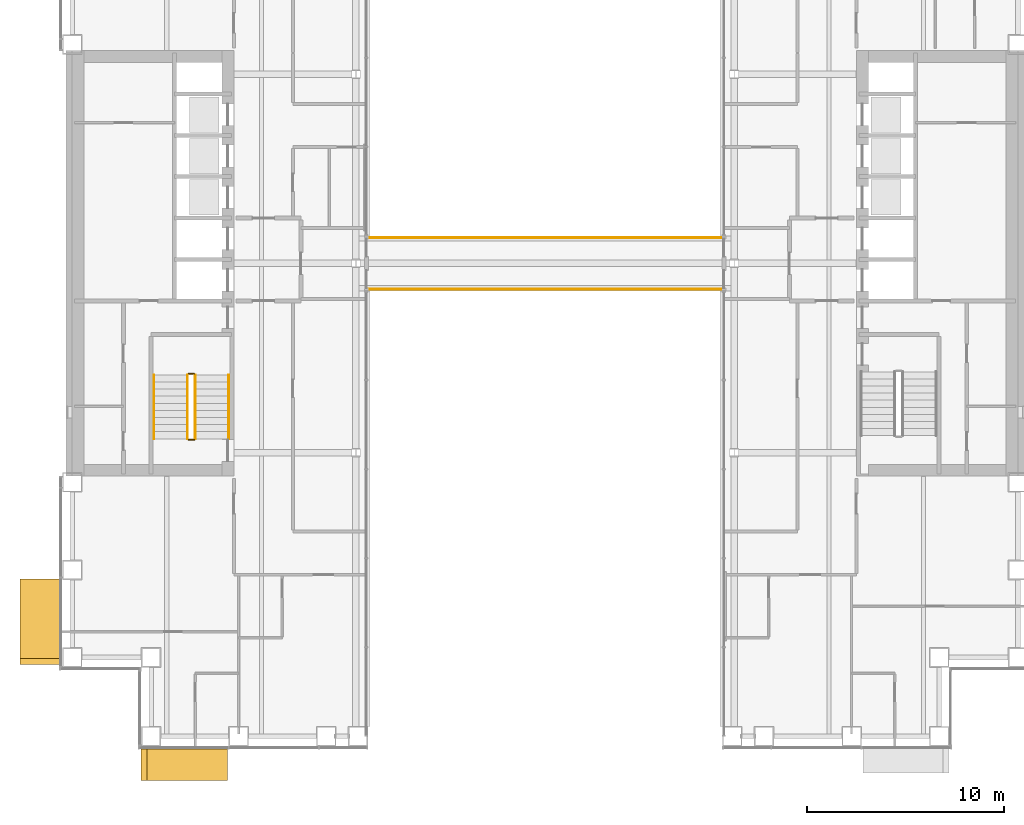
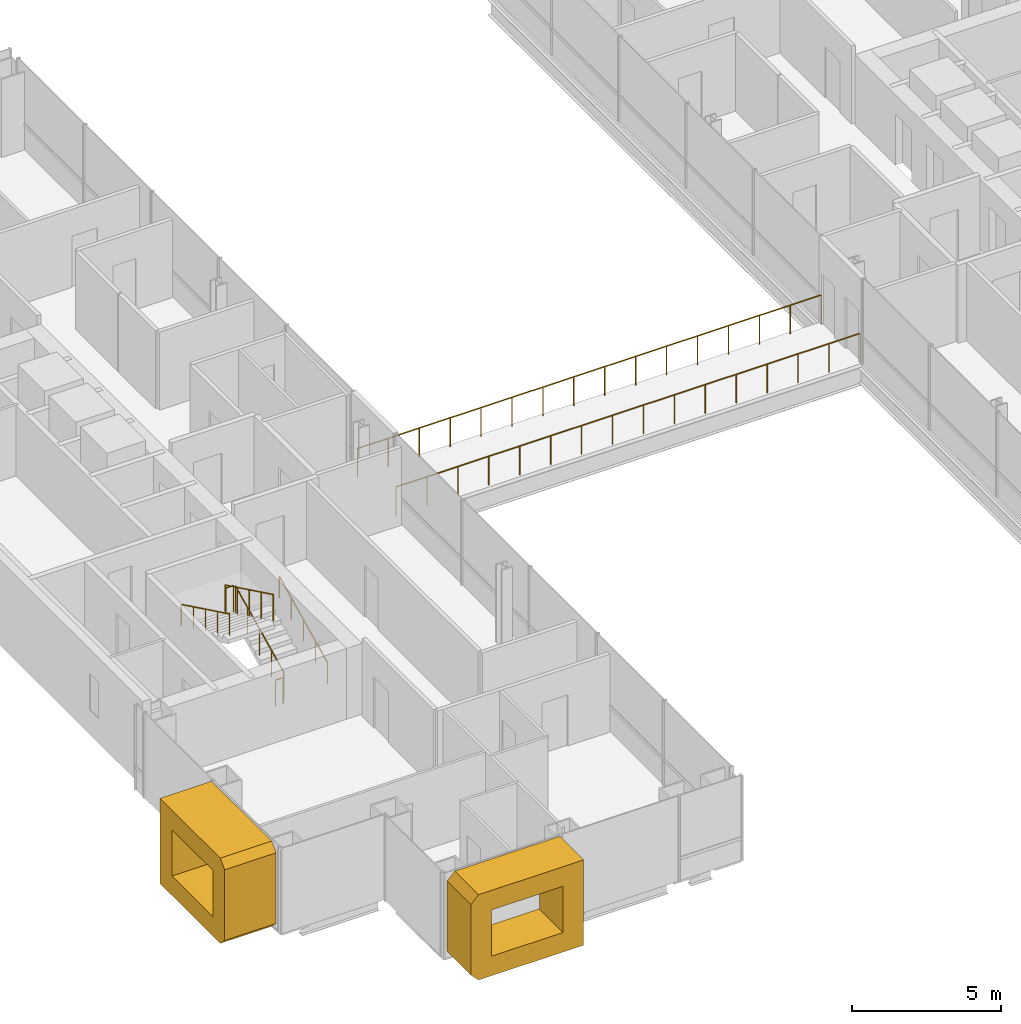
# One storey, part 18 of 21: 8 railings, 2 coverings.
"""IFC4 building model written with IfcOpenShell, lengths in metres."""

from ifc_helpers import new_model, si_unit, direction, frame, origin, origin_2d, place, context, subcontext, project, spatial, polyline, circle, outline, extrude, material, type_object, element, save


model = new_model("IFC4")

# Units and contexts
model_context = context("Model", 3, precision=1e-05, world=origin(), true_north=direction((0.0, 1.0)))
body_context = subcontext(model_context, "Body", "Model", "MODEL_VIEW")
ifc_project = project(units=[si_unit("LENGTHUNIT", "METRE"), si_unit("AREAUNIT", "SQUARE_METRE"), si_unit("VOLUMEUNIT", "CUBIC_METRE"), si_unit("PLANEANGLEUNIT", "RADIAN"), si_unit("MASSUNIT", "GRAM", prefix="KILO")], contexts=[model_context])

# Site, building, storey
site_placement = place(None, origin())
site = spatial("IfcSite", under=ifc_project, at=site_placement, CompositionType="ELEMENT")
building_placement = place(site_placement, origin())
building = spatial("IfcBuilding", under=site, at=building_placement, Name="Cobrizo Arcos Hotel Tower", CompositionType="ELEMENT")
storey_placement = place(building_placement, frame((0.0, 0.0, 81.0)))
storey = spatial("IfcBuildingStorey", under=building, at=storey_placement, Name="L19", CompositionType="ELEMENT", Elevation=81.0)

# Coverings
ifc_material_1 = material(Name="Aluminium 6063-T6 anodised bronze", Category="aluminium")
covering_type_1 = type_object("IfcCoveringType", Name="FIN-F 1600", PredefinedType="CLADDING", material=ifc_material_1)
covering_1_placement = place(storey_placement, frame((-20.5, -24.64990234375, 0.0), z_axis=(0.0, -1.0, 0.0), x_axis=(1.0, 0.0, 0.0)))
element("IfcCovering", 1, at=covering_1_placement, inside=storey, type_object=covering_type_1, Name="Fin frame 61", PredefinedType="CLADDING", context=body_context, shape_type="SweptSolid", body=[
    extrude(outline(polyline([(0.0, 0.300048828125), (0.300048828125, 0.0), (4.375, 0.0), (4.375, 3.5), (0.300048828125, 3.5), (0.0, 3.199951171875), (0.0, 0.300048828125)]), holes=[polyline([(3.574951171875, 0.800048828125), (0.800048828125, 0.800048828125), (0.800048828125, 2.699951171875), (3.574951171875, 2.699951171875), (3.574951171875, 0.800048828125)])]), origin(), (0.0, 0.0, 1.0), 1.60009765625),
])
covering_type_2 = type_object("IfcCoveringType", Name="FIN-F 2000", PredefinedType="CLADDING", material=ifc_material_1)
covering_2_placement = place(storey_placement, frame((-24.64990234375, -16.00830078125, 0.0), z_axis=(-1.0, 0.0, 0.0), x_axis=(0.0, -1.0, 0.0)))
element("IfcCovering", 2, at=covering_2_placement, inside=storey, type_object=covering_type_2, Name="Fin frame 84", PredefinedType="CLADDING", context=body_context, shape_type="SweptSolid", body=[
    extrude(outline(polyline([(0.0, 3.5), (0.0, 0.0), (4.041748046875, 0.0), (4.341796875, 0.300048828125), (4.341796875, 3.199951171875), (4.041748046875, 3.5), (0.0, 3.5)]), holes=[polyline([(3.541748046875, 0.800048828125), (0.800048828125, 0.800048828125), (0.800048828125, 2.699951171875), (3.541748046875, 2.699951171875), (3.541748046875, 0.800048828125)])]), origin(), (0.0, 0.0, 1.0), 2.0),
])

# Railings
ifc_material_2 = material(Name="Stainless steel railing", Category="steel")
railing_type_1 = type_object("IfcRailingType", Name="Sky bridge guard 1200", PredefinedType="GUARDRAIL", material=ifc_material_2)
railing_1_placement = place(storey_placement, frame((-9.0, 1.300048828125, 0.0)))
element("IfcRailing", 3, at=railing_1_placement, inside=storey, type_object=railing_type_1, Name="Sky bridge north guard", PredefinedType="GUARDRAIL", context=body_context, shape_type="SweptSolid", body=[
    extrude(circle(Radius=0.02392578125, at=origin_2d()), frame((0.0, 0.0, 1.17578125), z_axis=(1.0, 0.0, 0.0), x_axis=(0.0, 1.0, 0.0)), (0.0, 0.0, 1.0), 18.0),
    extrude(circle(Radius=0.02099609375, at=origin_2d()), origin(), (0.0, 0.0, 1.0), 1.15185546875),
    extrude(circle(Radius=0.02099609375, at=origin_2d()), frame((1.199951171875, 0.0, 0.0)), (0.0, 0.0, 1.0), 1.15185546875),
    extrude(circle(Radius=0.02099609375, at=origin_2d()), frame((2.39990234375, 0.0, 0.0)), (0.0, 0.0, 1.0), 1.15185546875),
    extrude(circle(Radius=0.02099609375, at=origin_2d()), frame((3.60009765625, 0.0, 0.0)), (0.0, 0.0, 1.0), 1.15185546875),
    extrude(circle(Radius=0.02099609375, at=origin_2d()), frame((4.800048828125, 0.0, 0.0)), (0.0, 0.0, 1.0), 1.15185546875),
    extrude(circle(Radius=0.02099609375, at=origin_2d()), frame((6.0, 0.0, 0.0)), (0.0, 0.0, 1.0), 1.15185546875),
    extrude(circle(Radius=0.02099609375, at=origin_2d()), frame((7.199951171875, 0.0, 0.0)), (0.0, 0.0, 1.0), 1.15185546875),
    extrude(circle(Radius=0.02099609375, at=origin_2d()), frame((8.39990234375, 0.0, 0.0)), (0.0, 0.0, 1.0), 1.15185546875),
    extrude(circle(Radius=0.02099609375, at=origin_2d()), frame((9.60009765625, 0.0, 0.0)), (0.0, 0.0, 1.0), 1.15185546875),
    extrude(circle(Radius=0.02099609375, at=origin_2d()), frame((10.800048828125, 0.0, 0.0)), (0.0, 0.0, 1.0), 1.15185546875),
    extrude(circle(Radius=0.02099609375, at=origin_2d()), frame((12.0, 0.0, 0.0)), (0.0, 0.0, 1.0), 1.15185546875),
    extrude(circle(Radius=0.02099609375, at=origin_2d()), frame((13.199951171875, 0.0, 0.0)), (0.0, 0.0, 1.0), 1.15185546875),
    extrude(circle(Radius=0.02099609375, at=origin_2d()), frame((14.39990234375, 0.0, 0.0)), (0.0, 0.0, 1.0), 1.15185546875),
    extrude(circle(Radius=0.02099609375, at=origin_2d()), frame((15.60009765625, 0.0, 0.0)), (0.0, 0.0, 1.0), 1.15185546875),
    extrude(circle(Radius=0.02099609375, at=origin_2d()), frame((16.800048828125, 0.0, 0.0)), (0.0, 0.0, 1.0), 1.15185546875),
    extrude(circle(Radius=0.02099609375, at=origin_2d()), frame((18.0, 0.0, 0.0)), (0.0, 0.0, 1.0), 1.15185546875),
])
railing_2_placement = place(storey_placement, frame((-9.0, -1.300048828125, 0.0)))
element("IfcRailing", 4, at=railing_2_placement, inside=storey, type_object=railing_type_1, Name="Sky bridge south guard", PredefinedType="GUARDRAIL", context=body_context, shape_type="SweptSolid", body=[
    extrude(circle(Radius=0.02392578125, at=origin_2d()), frame((0.0, 0.0, 1.17578125), z_axis=(1.0, 0.0, 0.0), x_axis=(0.0, 1.0, 0.0)), (0.0, 0.0, 1.0), 18.0),
    extrude(circle(Radius=0.02099609375, at=origin_2d()), origin(), (0.0, 0.0, 1.0), 1.15185546875),
    extrude(circle(Radius=0.02099609375, at=origin_2d()), frame((1.199951171875, 0.0, 0.0)), (0.0, 0.0, 1.0), 1.15185546875),
    extrude(circle(Radius=0.02099609375, at=origin_2d()), frame((2.39990234375, 0.0, 0.0)), (0.0, 0.0, 1.0), 1.15185546875),
    extrude(circle(Radius=0.02099609375, at=origin_2d()), frame((3.60009765625, 0.0, 0.0)), (0.0, 0.0, 1.0), 1.15185546875),
    extrude(circle(Radius=0.02099609375, at=origin_2d()), frame((4.800048828125, 0.0, 0.0)), (0.0, 0.0, 1.0), 1.15185546875),
    extrude(circle(Radius=0.02099609375, at=origin_2d()), frame((6.0, 0.0, 0.0)), (0.0, 0.0, 1.0), 1.15185546875),
    extrude(circle(Radius=0.02099609375, at=origin_2d()), frame((7.199951171875, 0.0, 0.0)), (0.0, 0.0, 1.0), 1.15185546875),
    extrude(circle(Radius=0.02099609375, at=origin_2d()), frame((8.39990234375, 0.0, 0.0)), (0.0, 0.0, 1.0), 1.15185546875),
    extrude(circle(Radius=0.02099609375, at=origin_2d()), frame((9.60009765625, 0.0, 0.0)), (0.0, 0.0, 1.0), 1.15185546875),
    extrude(circle(Radius=0.02099609375, at=origin_2d()), frame((10.800048828125, 0.0, 0.0)), (0.0, 0.0, 1.0), 1.15185546875),
    extrude(circle(Radius=0.02099609375, at=origin_2d()), frame((12.0, 0.0, 0.0)), (0.0, 0.0, 1.0), 1.15185546875),
    extrude(circle(Radius=0.02099609375, at=origin_2d()), frame((13.199951171875, 0.0, 0.0)), (0.0, 0.0, 1.0), 1.15185546875),
    extrude(circle(Radius=0.02099609375, at=origin_2d()), frame((14.39990234375, 0.0, 0.0)), (0.0, 0.0, 1.0), 1.15185546875),
    extrude(circle(Radius=0.02099609375, at=origin_2d()), frame((15.60009765625, 0.0, 0.0)), (0.0, 0.0, 1.0), 1.15185546875),
    extrude(circle(Radius=0.02099609375, at=origin_2d()), frame((16.800048828125, 0.0, 0.0)), (0.0, 0.0, 1.0), 1.15185546875),
    extrude(circle(Radius=0.02099609375, at=origin_2d()), frame((18.0, 0.0, 0.0)), (0.0, 0.0, 1.0), 1.15185546875),
])
railing_type_2 = type_object("IfcRailingType", Name="Stair guard 1100", PredefinedType="GUARDRAIL", material=ifc_material_2)
railing_3_placement = place(storey_placement, frame((-17.75, -8.89990234375, 0.175048828125)))
element("IfcRailing", 5, at=railing_3_placement, inside=storey, type_object=railing_type_2, Name="L19 ST-W stair guard 1", PredefinedType="GUARDRAIL", context=body_context, shape_type="SweptSolid", body=[
    extrude(circle(Radius=0.02392578125, at=origin_2d()), frame((0.0, 0.0, 1.076171875), z_axis=(0.0, 0.899372665325, 0.437182809435), x_axis=(-1.0, 0.0, 0.0)), (0.0, 0.0, 1.0), 3.6025390625),
    extrude(circle(Radius=0.02099609375, at=origin_2d()), origin(), (0.0, 0.0, 1.0), 1.052001953125),
    extrude(circle(Radius=0.02099609375, at=origin_2d()), frame((0.0, 0.81005859375, 0.393798828125)), (0.0, 0.0, 1.0), 1.052001953125),
    extrude(circle(Radius=0.02099609375, at=origin_2d()), frame((0.0, 1.6201171875, 0.78759765625)), (0.0, 0.0, 1.0), 1.052001953125),
    extrude(circle(Radius=0.02099609375, at=origin_2d()), frame((0.0, 2.429931640625, 1.18115234375)), (0.0, 0.0, 1.0), 1.052001953125),
    extrude(circle(Radius=0.02099609375, at=origin_2d()), frame((0.0, 3.239990234375, 1.574951171875)), (0.0, 0.0, 1.0), 1.052001953125),
])
railing_4_placement = place(storey_placement, frame((-17.800048828125, -5.610107421875, 1.75)))
element("IfcRailing", 6, at=railing_4_placement, inside=storey, type_object=railing_type_2, Name="L19 ST-W stair guard 2", PredefinedType="GUARDRAIL", context=body_context, shape_type="SweptSolid", body=[
    extrude(circle(Radius=0.02392578125, at=origin_2d()), frame((0.0, 0.0, 1.076171875), z_axis=(-1.0, 0.0, 0.0), x_axis=(0.0, -1.0, 0.0)), (0.0, 0.0, 1.0), 0.300048828125),
    extrude(circle(Radius=0.02099609375, at=origin_2d()), origin(), (0.0, 0.0, 1.0), 1.052001953125),
    extrude(circle(Radius=0.02099609375, at=origin_2d()), frame((-0.300048828125, 0.0, 0.0)), (0.0, 0.0, 1.0), 1.052001953125),
])
railing_5_placement = place(storey_placement, frame((-18.14990234375, -5.659912109375, 1.925048828125)))
element("IfcRailing", 7, at=railing_5_placement, inside=storey, type_object=railing_type_2, Name="L19 ST-W stair guard 3", PredefinedType="GUARDRAIL", context=body_context, shape_type="SweptSolid", body=[
    extrude(circle(Radius=0.02392578125, at=origin_2d()), frame((0.0, 0.0, 1.076171875), z_axis=(0.0, -0.899372665325, 0.437182809435), x_axis=(1.0, 0.0, 0.0)), (0.0, 0.0, 1.0), 3.6025390625),
    extrude(circle(Radius=0.02099609375, at=origin_2d()), origin(), (0.0, 0.0, 1.0), 1.052001953125),
    extrude(circle(Radius=0.02099609375, at=origin_2d()), frame((0.0, -0.81005859375, 0.393798828125)), (0.0, 0.0, 1.0), 1.052001953125),
    extrude(circle(Radius=0.02099609375, at=origin_2d()), frame((0.0, -1.6201171875, 0.78759765625)), (0.0, 0.0, 1.0), 1.052001953125),
    extrude(circle(Radius=0.02099609375, at=origin_2d()), frame((0.0, -2.429931640625, 1.18115234375)), (0.0, 0.0, 1.0), 1.052001953125),
    extrude(circle(Radius=0.02099609375, at=origin_2d()), frame((0.0, -3.239990234375, 1.574951171875)), (0.0, 0.0, 1.0), 1.052001953125),
])
railing_6_placement = place(storey_placement, frame((-17.800048828125, -8.949951171875, 0.0)))
element("IfcRailing", 8, at=railing_6_placement, inside=storey, type_object=railing_type_2, Name="L19 ST-W stair guard 4", PredefinedType="GUARDRAIL", context=body_context, shape_type="SweptSolid", body=[
    extrude(circle(Radius=0.02392578125, at=origin_2d()), frame((0.0, 0.0, 1.076171875), z_axis=(-1.0, 0.0, 0.0), x_axis=(0.0, -1.0, 0.0)), (0.0, 0.0, 1.0), 0.300048828125),
    extrude(circle(Radius=0.02099609375, at=origin_2d()), origin(), (0.0, 0.0, 1.0), 1.052001953125),
    extrude(circle(Radius=0.02099609375, at=origin_2d()), frame((-0.300048828125, 0.0, 0.0)), (0.0, 0.0, 1.0), 1.052001953125),
])
railing_type_3 = type_object("IfcRailingType", Name="Stair handrail", PredefinedType="HANDRAIL", material=ifc_material_2)
railing_7_placement = place(storey_placement, frame((-16.050048828125, -8.89990234375, 0.175048828125)))
element("IfcRailing", 9, at=railing_7_placement, inside=storey, type_object=railing_type_3, Name="L19 ST-W stair handrail 1", PredefinedType="HANDRAIL", context=body_context, shape_type="SweptSolid", body=[
    extrude(circle(Radius=0.02392578125, at=origin_2d()), frame((0.0, 0.0, 0.8759765625), z_axis=(0.0, 0.899372665325, 0.437182809435), x_axis=(-1.0, 0.0, 0.0)), (0.0, 0.0, 1.0), 3.6025390625),
    extrude(circle(Radius=0.02099609375, at=origin_2d()), origin(), (0.0, 0.0, 1.0), 0.851806640625),
    extrude(circle(Radius=0.02099609375, at=origin_2d()), frame((0.0, 0.81005859375, 0.393798828125)), (0.0, 0.0, 1.0), 0.851806640625),
    extrude(circle(Radius=0.02099609375, at=origin_2d()), frame((0.0, 1.6201171875, 0.78759765625)), (0.0, 0.0, 1.0), 0.851806640625),
    extrude(circle(Radius=0.02099609375, at=origin_2d()), frame((0.0, 2.429931640625, 1.18115234375)), (0.0, 0.0, 1.0), 0.851806640625),
    extrude(circle(Radius=0.02099609375, at=origin_2d()), frame((0.0, 3.239990234375, 1.574951171875)), (0.0, 0.0, 1.0), 0.851806640625),
])
railing_8_placement = place(storey_placement, frame((-19.85009765625, -5.659912109375, 1.925048828125)))
element("IfcRailing", 10, at=railing_8_placement, inside=storey, type_object=railing_type_3, Name="L19 ST-W stair handrail 2", PredefinedType="HANDRAIL", context=body_context, shape_type="SweptSolid", body=[
    extrude(circle(Radius=0.02392578125, at=origin_2d()), frame((0.0, 0.0, 0.8759765625), z_axis=(0.0, -0.899372665325, 0.437182809435), x_axis=(1.0, 0.0, 0.0)), (0.0, 0.0, 1.0), 3.6025390625),
    extrude(circle(Radius=0.02099609375, at=origin_2d()), origin(), (0.0, 0.0, 1.0), 0.851806640625),
    extrude(circle(Radius=0.02099609375, at=origin_2d()), frame((0.0, -0.81005859375, 0.393798828125)), (0.0, 0.0, 1.0), 0.851806640625),
    extrude(circle(Radius=0.02099609375, at=origin_2d()), frame((0.0, -1.6201171875, 0.78759765625)), (0.0, 0.0, 1.0), 0.851806640625),
    extrude(circle(Radius=0.02099609375, at=origin_2d()), frame((0.0, -2.429931640625, 1.18115234375)), (0.0, 0.0, 1.0), 0.851806640625),
    extrude(circle(Radius=0.02099609375, at=origin_2d()), frame((0.0, -3.239990234375, 1.574951171875)), (0.0, 0.0, 1.0), 0.851806640625),
])

save(model, "model.ifc")
